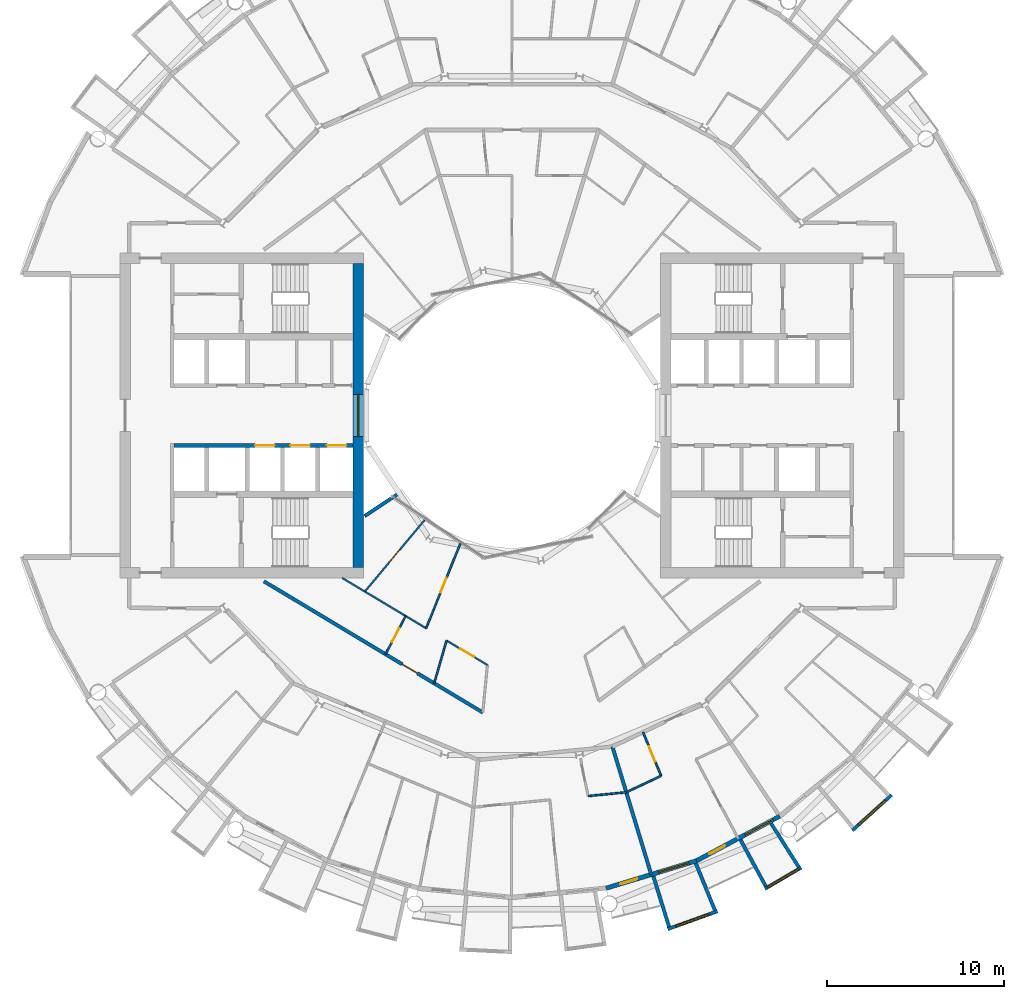
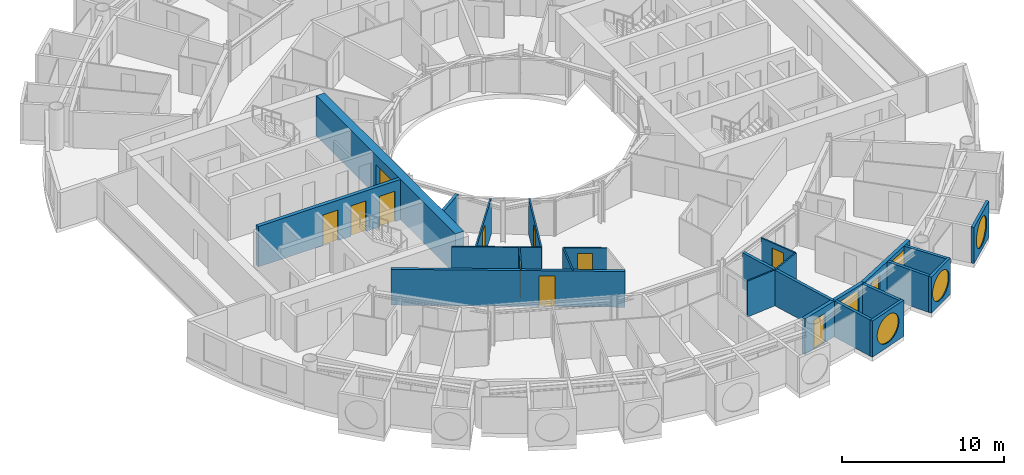
# One storey, part 16 of 27: 23 walls, 11 doors, 6 windows, 17 openings.
"""IFC4 building model written with IfcOpenShell, lengths in metres."""

from ifc_helpers import new_model, si_unit, direction, frame, frame_2d, origin, place, context, subcontext, project, spatial, rectangle, circle, extrude, material, layer, layer_set, type_object, element, fill, save


model = new_model("IFC4")

# Units and contexts
model_context = context("Model", 3, precision=1e-05, world=origin(), true_north=direction((0.0, 1.0)))
body_context = subcontext(model_context, "Body", "Model", "MODEL_VIEW")
ifc_project = project(units=[si_unit("LENGTHUNIT", "METRE"), si_unit("AREAUNIT", "SQUARE_METRE"), si_unit("VOLUMEUNIT", "CUBIC_METRE"), si_unit("PLANEANGLEUNIT", "RADIAN"), si_unit("MASSUNIT", "GRAM", prefix="KILO")], contexts=[model_context])

# Site, building, storey
site_placement = place(None, origin())
site = spatial("IfcSite", under=ifc_project, at=site_placement, CompositionType="ELEMENT")
building_placement = place(site_placement, origin())
building = spatial("IfcBuilding", under=site, at=building_placement, Name="Maasbend Ring Residences", CompositionType="ELEMENT")
storey_placement = place(building_placement, frame((0.0, 0.0, 120.800048828125)))
storey = spatial("IfcBuildingStorey", under=building, at=storey_placement, Name="L34", CompositionType="ELEMENT", Elevation=120.800048828125)

# Wall, openings, doors
ifc_material_1 = material(Name="Concrete C60/75", Category="concrete")
ifc_layer_1 = layer(ifc_material_1, 0.25)
ifc_layer_set_1 = layer_set([ifc_layer_1], Name="Concrete C60/75")
wall_type_1 = type_object("IfcWallType", Name="CORE WALL 250 C60/75", PredefinedType="SHEAR", material=ifc_layer_set_1)
wall_1_placement = place(storey_placement, frame((-9.0, -1.699951171875, 0.0), z_axis=(0.0, 0.0, 1.0), x_axis=(-1.0, 0.0, 0.0)))
wall_1 = element("IfcWall", 1, at=wall_1_placement, inside=storey, type_object=wall_type_1, Name="L34 core W wall SPN", PredefinedType="SHEAR", context=body_context, shape_type="SweptSolid", body=[
    extrude(rectangle(XDim=10.14990234375, YDim=0.25, at=frame_2d((5.074951171875, 0.0))), origin(), (0.0, 0.0, 1.0), 3.050048828125),
])
opening_1_placement = place(wall_1_placement, frame((0.387451171875, 0.0, 0.0)))
opening_1 = element("IfcOpeningElement", 2, at=opening_1_placement, cuts=wall_1, Name="Opening LD-W3401", PredefinedType="OPENING", context=body_context, shape_type="SweptSolid", body=[
    extrude(rectangle(XDim=1.10009765625, YDim=2.300048828125, at=frame_2d((0.550048828125, 1.14990234375))), frame((0.0, 0.135009765625, 0.0), z_axis=(0.0, -1.0, 0.0), x_axis=(1.0, 0.0, 0.0)), (0.0, 0.0, 1.0), 0.27001953125),
])
opening_2_placement = place(wall_1_placement, frame((2.449951171875, 0.0, 0.0)))
opening_2 = element("IfcOpeningElement", 3, at=opening_2_placement, cuts=wall_1, Name="Opening LD-W3402", PredefinedType="OPENING", context=body_context, shape_type="SweptSolid", body=[
    extrude(rectangle(XDim=1.10009765625, YDim=2.300048828125, at=frame_2d((0.550048828125, 1.14990234375))), frame((0.0, 0.135009765625, 0.0), z_axis=(0.0, -1.0, 0.0), x_axis=(1.0, 0.0, 0.0)), (0.0, 0.0, 1.0), 0.27001953125),
])
opening_3_placement = place(wall_1_placement, frame((4.449951171875, 0.0, 0.0)))
opening_3 = element("IfcOpeningElement", 4, at=opening_3_placement, cuts=wall_1, Name="Opening LD-W3403", PredefinedType="OPENING", context=body_context, shape_type="SweptSolid", body=[
    extrude(rectangle(XDim=1.10009765625, YDim=2.300048828125, at=frame_2d((0.550048828125, 1.14990234375))), frame((0.0, 0.135009765625, 0.0), z_axis=(0.0, -1.0, 0.0), x_axis=(1.0, 0.0, 0.0)), (0.0, 0.0, 1.0), 0.27001953125),
])
ifc_material_2 = material(Name="Stainless steel 316", Category="steel")
door_type_1 = type_object("IfcDoorType", Name="LANDING DOOR 1100 X 2300 FD60", OperationType="DOUBLE_DOOR_SLIDING", PredefinedType="DOOR", material=ifc_material_2)
door_1_placement = place(opening_1_placement, origin())
door_1 = element("IfcDoor", 5, at=door_1_placement, inside=storey, type_object=door_type_1, Name="Landing door LR-W1 L34", OperationType="DOUBLE_DOOR_SLIDING", OverallHeight=2.300048828125, OverallWidth=1.10009765625, PredefinedType="DOOR", context=body_context, shape_type="SweptSolid", body=[
    extrude(rectangle(XDim=1.10009765625, YDim=2.300048828125, at=frame_2d((0.550048828125, 1.14990234375))), frame((0.0, 0.02490234375, 0.0), z_axis=(0.0, -1.0, 0.0), x_axis=(1.0, 0.0, 0.0)), (0.0, 0.0, 1.0), 0.050048828125),
])
fill(opening_1, door_1)
door_2_placement = place(opening_2_placement, origin())
door_2 = element("IfcDoor", 6, at=door_2_placement, inside=storey, type_object=door_type_1, Name="Landing door LR-W2 L34", OperationType="DOUBLE_DOOR_SLIDING", OverallHeight=2.300048828125, OverallWidth=1.10009765625, PredefinedType="DOOR", context=body_context, shape_type="SweptSolid", body=[
    extrude(rectangle(XDim=1.10009765625, YDim=2.300048828125, at=frame_2d((0.550048828125, 1.14990234375))), frame((0.0, 0.02490234375, 0.0), z_axis=(0.0, -1.0, 0.0), x_axis=(1.0, 0.0, 0.0)), (0.0, 0.0, 1.0), 0.050048828125),
])
fill(opening_2, door_2)
door_3_placement = place(opening_3_placement, origin())
door_3 = element("IfcDoor", 7, at=door_3_placement, inside=storey, type_object=door_type_1, Name="Landing door LR-W3 L34", OperationType="DOUBLE_DOOR_SLIDING", OverallHeight=2.300048828125, OverallWidth=1.10009765625, PredefinedType="DOOR", context=body_context, shape_type="SweptSolid", body=[
    extrude(rectangle(XDim=1.10009765625, YDim=2.300048828125, at=frame_2d((0.550048828125, 1.14990234375))), frame((0.0, 0.02490234375, 0.0), z_axis=(0.0, -1.0, 0.0), x_axis=(1.0, 0.0, 0.0)), (0.0, 0.0, 1.0), 0.050048828125),
])
fill(opening_3, door_3)

# Wall, opening, window
ifc_material_3 = material(Name="Concrete C60/75", Category="concrete")
ifc_layer_2 = layer(ifc_material_3, 0.60009765625)
ifc_layer_set_2 = layer_set([ifc_layer_2], Name="Concrete C60/75")
wall_type_2 = type_object("IfcWallType", Name="CORE WALL 600 C60/75", PredefinedType="SHEAR", material=ifc_layer_set_2)
wall_2_placement = place(storey_placement, frame((-8.699951171875, 8.60009765625, 0.0), z_axis=(0.0, 0.0, 1.0), x_axis=(0.0, -1.0, 0.0)))
wall_2 = element("IfcWall", 8, at=wall_2_placement, inside=storey, type_object=wall_type_2, Name="L34 core W wall PIN", PredefinedType="SHEAR", context=body_context, shape_type="SweptSolid", body=[
    extrude(rectangle(XDim=17.2001953125, YDim=0.60009765625, at=frame_2d((8.60009765625, 0.0))), origin(), (0.0, 0.0, 1.0), 3.050048828125),
])
opening_4_placement = place(wall_2_placement, frame((7.39990234375, 0.0, 0.10009765625)))
opening_4 = element("IfcOpeningElement", 9, at=opening_4_placement, cuts=wall_2, Name="Opening W-W3401", PredefinedType="OPENING", context=body_context, shape_type="SweptSolid", body=[
    extrude(rectangle(XDim=2.39990234375, YDim=2.199951171875, at=frame_2d((1.199951171875, 1.10009765625))), frame((0.0, 0.31005859375, 0.0), z_axis=(0.0, -1.0, 0.0), x_axis=(1.0, 0.0, 0.0)), (0.0, 0.0, 1.0), 0.6201171875),
])
ifc_material_4 = material(Name="Aluminium frame and clear glass", Category="aluminium")
window_type_1 = type_object("IfcWindowType", Name="FIXED WINDOW 2400 X 2200", PartitioningType="SINGLE_PANEL", PredefinedType="WINDOW", material=ifc_material_4)
window_1_placement = place(opening_4_placement, origin())
window_1 = element("IfcWindow", 10, at=window_1_placement, inside=storey, type_object=window_type_1, Name="Lobby window L34", OverallHeight=2.199951171875, OverallWidth=2.39990234375, PartitioningType="SINGLE_PANEL", PredefinedType="WINDOW", context=body_context, shape_type="SweptSolid", body=[
    extrude(rectangle(XDim=2.39990234375, YDim=2.199951171875, at=frame_2d((1.199951171875, 1.10009765625))), frame((0.0, 0.030029296875, 0.0), z_axis=(0.0, -1.0, 0.0), x_axis=(1.0, 0.0, 0.0)), (0.0, 0.0, 1.0), 0.06005859375),
])
fill(opening_4, window_1)

# Wall, opening, door
ifc_material_5 = material(Name="Concrete C30/37", Category="concrete")
ifc_layer_3 = layer(ifc_material_5, 0.199951171875)
ifc_layer_set_3 = layer_set([ifc_layer_3], Name="Concrete C30/37")
wall_type_3 = type_object("IfcWallType", Name="CORRIDOR WALL 200 CONCRETE", PredefinedType="PARTITIONING", material=ifc_layer_set_3)
wall_3_placement = place(storey_placement, frame((-14.051025390625, -9.39111328125, 0.0), z_axis=(0.0, 0.0, 1.0), x_axis=(0.857768591583, -0.514036033069, 0.0)))
wall_3 = element("IfcWall", 11, at=wall_3_placement, inside=storey, type_object=wall_type_3, Name="U-L34-w019", PredefinedType="PARTITIONING", context=body_context, shape_type="SweptSolid", body=[
    extrude(rectangle(XDim=14.4501953125, YDim=0.199951171875, at=frame_2d((7.22509765625, 0.0))), origin(), (0.0, 0.0, 1.0), 2.699951171875),
])
opening_5_placement = place(wall_3_placement, frame((9.133056640625, 0.0, 0.0)))
opening_5 = element("IfcOpeningElement", 12, at=opening_5_placement, cuts=wall_3, Name="Opening D-3453", PredefinedType="OPENING", context=body_context, shape_type="SweptSolid", body=[
    extrude(rectangle(XDim=1.0, YDim=2.300048828125, at=frame_2d((0.5, 1.14990234375))), frame((0.0, 0.10986328125, 0.0), z_axis=(0.0, -1.0, 0.0), x_axis=(1.0, 0.0, 0.0)), (0.0, 0.0, 1.0), 0.219970703125),
])
ifc_material_6 = material(Name="Timber, fire-rated, painted", Category="wood")
door_type_2 = type_object("IfcDoorType", Name="FLAT ENTRANCE DOOR 1000 X 2300 FIRE-RATED", OperationType="NOTDEFINED", PredefinedType="DOOR", material=ifc_material_6)
door_4_placement = place(opening_5_placement, origin())
door_4 = element("IfcDoor", 13, at=door_4_placement, inside=storey, type_object=door_type_2, Name="D-3453", OperationType="SINGLE_SWING_RIGHT", OverallHeight=2.300048828125, OverallWidth=1.0, PredefinedType="DOOR", context=body_context, shape_type="SweptSolid", body=[
    extrude(rectangle(XDim=1.0, YDim=2.300048828125, at=frame_2d((0.5, 1.14990234375))), frame((0.0, 0.02490234375, 0.0), z_axis=(0.0, -1.0, 0.0), x_axis=(1.0, 0.0, 0.0)), (0.0, 0.0, 1.0), 0.050048828125),
])
fill(opening_5, door_4)

# Wall, opening, window
ifc_material_7 = material(Name="Pale anodised aluminium panel", Category="aluminium")
ifc_layer_4 = layer(ifc_material_7, 0.199951171875)
ifc_layer_set_4 = layer_set([ifc_layer_4], Name="EW-BOX")
wall_type_4 = type_object("IfcWallType", Name="EW-BOX", PredefinedType="SOLIDWALL", material=ifc_layer_set_4)
wall_4_placement = place(storey_placement, frame((8.820068359375, -29.093017578125, -0.030029296875), z_axis=(0.0, 0.0, 1.0), x_axis=(0.941461077774, 0.337121697664, 0.0)))
wall_4 = element("IfcWall", 14, at=wall_4_placement, inside=storey, type_object=wall_type_4, Name="Box front S14", PredefinedType="SOLIDWALL", context=body_context, shape_type="SweptSolid", body=[
    extrude(rectangle(XDim=2.9931640625, YDim=0.199951171875, at=frame_2d((1.49658203125, 0.0))), origin(), (0.0, 0.0, 1.0), 2.72998046875),
])
opening_6_placement = place(wall_4_placement, frame((0.45654296875, 0.0, 0.330078125)))
opening_6 = element("IfcOpeningElement", 15, at=opening_6_placement, cuts=wall_4, Name="Opening W-RD", PredefinedType="OPENING", context=body_context, shape_type="SweptSolid", body=[
    extrude(circle(Radius=1.0400390625, at=frame_2d((1.0400390625, 1.0400390625))), frame((0.0, 0.10986328125, 0.0), z_axis=(0.0, -1.0, 0.0), x_axis=(1.0, 0.0, 0.0)), (0.0, 0.0, 1.0), 0.219970703125),
])
ifc_material_8 = material(Name="Aluminium and clear glass", Category="aluminium")
window_type_2 = type_object("IfcWindowType", Name="W-RD", PartitioningType="SINGLE_PANEL", PredefinedType="WINDOW", material=ifc_material_8)
window_2_placement = place(opening_6_placement, origin())
window_2 = element("IfcWindow", 16, at=window_2_placement, inside=storey, type_object=window_type_2, Name="Round window S14", OverallHeight=2.080078125, OverallWidth=2.080078125, PartitioningType="SINGLE_PANEL", PredefinedType="WINDOW", context=body_context, shape_type="SweptSolid", body=[
    extrude(circle(Radius=1.0400390625, at=frame_2d((1.0400390625, 1.0400390625))), frame((0.0, 0.030029296875, 0.0), z_axis=(0.0, -1.0, 0.0), x_axis=(1.0, 0.0, 0.0)), (0.0, 0.0, 1.0), 0.06005859375),
])
fill(opening_6, window_2)

# Walls
wall_5_placement = place(storey_placement, frame((8.009033203125, -26.092041015625, -0.030029296875), z_axis=(0.0, 0.0, 1.0), x_axis=(0.293406695073, -0.955987715029, 0.0)))
element("IfcWall", 17, at=wall_5_placement, inside=storey, type_object=wall_type_4, Name="Box side wall S14 left", PredefinedType="SOLIDWALL", context=body_context, shape_type="SweptSolid", body=[
    extrude(rectangle(XDim=3.00634765625, YDim=0.199951171875, at=frame_2d((1.503173828125, 0.0))), origin(), (0.0, 0.0, 1.0), 2.72998046875),
])
wall_6_placement = place(storey_placement, frame((10.408935546875, -25.364013671875, -0.030029296875), z_axis=(0.0, 0.0, 1.0), x_axis=(0.379509886562, -0.925187681501, 0.0)))
element("IfcWall", 18, at=wall_6_placement, inside=storey, type_object=wall_type_4, Name="Box side wall S14 right", PredefinedType="SOLIDWALL", context=body_context, shape_type="SweptSolid", body=[
    extrude(rectangle(XDim=2.882568359375, YDim=0.199951171875, at=frame_2d((1.44140625, 0.0))), origin(), (0.0, 0.0, 1.0), 2.72998046875),
])

# Wall, opening, window
wall_7_placement = place(storey_placement, frame((14.326904296875, -26.81201171875, -0.030029296875), z_axis=(0.0, 0.0, 1.0), x_axis=(0.862762477128, 0.505609442218, 0.0)))
wall_7 = element("IfcWall", 19, at=wall_7_placement, inside=storey, type_object=wall_type_4, Name="Box front S16", PredefinedType="SOLIDWALL", context=body_context, shape_type="SweptSolid", body=[
    extrude(rectangle(XDim=2.39111328125, YDim=0.199951171875, at=frame_2d((1.195556640625, 0.0))), origin(), (0.0, 0.0, 1.0), 2.72998046875),
])
opening_7_placement = place(wall_7_placement, frame((0.15576171875, 0.0, 0.330078125)))
opening_7 = element("IfcOpeningElement", 20, at=opening_7_placement, cuts=wall_7, Name="Opening W-RD", PredefinedType="OPENING", context=body_context, shape_type="SweptSolid", body=[
    extrude(circle(Radius=1.0400390625, at=frame_2d((1.0400390625, 1.0400390625))), frame((0.0, 0.10986328125, 0.0), z_axis=(0.0, -1.0, 0.0), x_axis=(1.0, 0.0, 0.0)), (0.0, 0.0, 1.0), 0.219970703125),
])
window_3_placement = place(opening_7_placement, origin())
window_3 = element("IfcWindow", 21, at=window_3_placement, inside=storey, type_object=window_type_2, Name="Round window S16", OverallHeight=2.080078125, OverallWidth=2.080078125, PartitioningType="SINGLE_PANEL", PredefinedType="WINDOW", context=body_context, shape_type="SweptSolid", body=[
    extrude(circle(Radius=1.0400390625, at=frame_2d((1.0400390625, 1.0400390625))), frame((0.0, 0.030029296875, 0.0), z_axis=(0.0, -1.0, 0.0), x_axis=(1.0, 0.0, 0.0)), (0.0, 0.0, 1.0), 0.06005859375),
])
fill(opening_7, window_3)

# Walls
wall_8_placement = place(storey_placement, frame((12.945068359375, -24.029052734375, -0.030029296875), z_axis=(0.0, 0.0, 1.0), x_axis=(0.474424310775, -0.88029629861, 0.0)))
element("IfcWall", 22, at=wall_8_placement, inside=storey, type_object=wall_type_4, Name="Box side wall S16 left", PredefinedType="SOLIDWALL", context=body_context, shape_type="SweptSolid", body=[
    extrude(rectangle(XDim=3.005859375, YDim=0.199951171875, at=frame_2d((1.5029296875, 0.0))), origin(), (0.0, 0.0, 1.0), 2.72998046875),
])
wall_9_placement = place(storey_placement, frame((14.677978515625, -23.10205078125, -0.030029296875), z_axis=(0.0, 0.0, 1.0), x_axis=(0.536001536573, -0.844217005746, 0.0)))
element("IfcWall", 23, at=wall_9_placement, inside=storey, type_object=wall_type_4, Name="Box side wall S16 right", PredefinedType="SOLIDWALL", context=body_context, shape_type="SweptSolid", body=[
    extrude(rectangle(XDim=2.92919921875, YDim=0.199951171875, at=frame_2d((1.464599609375, 0.0))), origin(), (0.0, 0.0, 1.0), 2.72998046875),
])

# Wall, opening, window
wall_10_placement = place(storey_placement, frame((19.281982421875, -23.5029296875, -0.030029296875), z_axis=(0.0, 0.0, 1.0), x_axis=(0.740998365753, 0.671506829416, 0.0)))
wall_10 = element("IfcWall", 24, at=wall_10_placement, inside=storey, type_object=wall_type_4, Name="Box front S18", PredefinedType="SOLIDWALL", context=body_context, shape_type="SweptSolid", body=[
    extrude(rectangle(XDim=2.9931640625, YDim=0.199951171875, at=frame_2d((1.49658203125, 0.0))), origin(), (0.0, 0.0, 1.0), 2.72998046875),
])
opening_8_placement = place(wall_10_placement, frame((0.45654296875, 0.0, 0.330078125)))
opening_8 = element("IfcOpeningElement", 25, at=opening_8_placement, cuts=wall_10, Name="Opening W-RD", PredefinedType="OPENING", context=body_context, shape_type="SweptSolid", body=[
    extrude(circle(Radius=1.0400390625, at=frame_2d((1.0400390625, 1.0400390625))), frame((0.0, 0.10986328125, 0.0), z_axis=(0.0, -1.0, 0.0), x_axis=(1.0, 0.0, 0.0)), (0.0, 0.0, 1.0), 0.219970703125),
])
window_4_placement = place(opening_8_placement, origin())
window_4 = element("IfcWindow", 26, at=window_4_placement, inside=storey, type_object=window_type_2, Name="Round window S18", OverallHeight=2.080078125, OverallWidth=2.080078125, PartitioningType="SINGLE_PANEL", PredefinedType="WINDOW", context=body_context, shape_type="SweptSolid", body=[
    extrude(circle(Radius=1.0400390625, at=frame_2d((1.0400390625, 1.0400390625))), frame((0.0, 0.030029296875, 0.0), z_axis=(0.0, -1.0, 0.0), x_axis=(1.0, 0.0, 0.0)), (0.0, 0.0, 1.0), 0.06005859375),
])
fill(opening_8, window_4)

# Wall, openings, door, window
ifc_material_9 = material(Name="Aluminium clad insulated panel", Category="aluminium")
ifc_layer_5 = layer(ifc_material_9, 0.25)
ifc_layer_set_5 = layer_set([ifc_layer_5], Name="EW-GL")
wall_type_5 = type_object("IfcWallType", Name="EW-GL", PredefinedType="SOLIDWALL", material=ifc_layer_set_5)
wall_11_placement = place(storey_placement, frame((5.325927734375, -26.77490234375, 0.0), z_axis=(0.0, 0.0, 1.0), x_axis=(0.956965678721, 0.290201119486, 0.0)))
wall_11 = element("IfcWall", 27, at=wall_11_placement, inside=storey, type_object=wall_type_5, Name="External wall S07", PredefinedType="SOLIDWALL", context=body_context, shape_type="SweptSolid", body=[
    extrude(rectangle(XDim=5.351318359375, YDim=0.25, at=frame_2d((2.67578125, 0.0))), origin(), (0.0, 0.0, 1.0), 2.699951171875),
])
opening_9_placement = place(wall_11_placement, frame((0.841064453125, 0.0, 0.0)))
opening_9 = element("IfcOpeningElement", 28, at=opening_9_placement, cuts=wall_11, Name="Opening D-LG", PredefinedType="OPENING", context=body_context, shape_type="SweptSolid", body=[
    extrude(rectangle(XDim=1.0, YDim=2.199951171875, at=frame_2d((0.5, 1.10009765625))), frame((0.0, 0.135009765625, 0.0), z_axis=(0.0, -1.0, 0.0), x_axis=(1.0, 0.0, 0.0)), (0.0, 0.0, 1.0), 0.27001953125),
])
opening_10_placement = place(wall_11_placement, frame((3.110595703125, 0.0, 0.300048828125)))
opening_10 = element("IfcOpeningElement", 29, at=opening_10_placement, cuts=wall_11, Name="Opening W-BX", PredefinedType="OPENING", context=body_context, shape_type="SweptSolid", body=[
    extrude(rectangle(XDim=1.800048828125, YDim=2.10009765625, at=frame_2d((0.89990234375, 1.050048828125))), frame((0.0, 0.135009765625, 0.0), z_axis=(0.0, -1.0, 0.0), x_axis=(1.0, 0.0, 0.0)), (0.0, 0.0, 1.0), 0.27001953125),
])
ifc_material_10 = material(Name="Aluminium and clear glass", Category="aluminium")
door_type_3 = type_object("IfcDoorType", Name="D-LG", OperationType="SINGLE_SWING_LEFT", PredefinedType="DOOR", material=ifc_material_10)
door_5_placement = place(opening_9_placement, origin())
door_5 = element("IfcDoor", 30, at=door_5_placement, inside=storey, type_object=door_type_3, Name="Loggia door S13", OperationType="SINGLE_SWING_LEFT", OverallHeight=2.199951171875, OverallWidth=1.0, PredefinedType="DOOR", context=body_context, shape_type="SweptSolid", body=[
    extrude(rectangle(XDim=1.0, YDim=2.199951171875, at=frame_2d((0.5, 1.10009765625))), frame((0.0, 0.02490234375, 0.0), z_axis=(0.0, -1.0, 0.0), x_axis=(1.0, 0.0, 0.0)), (0.0, 0.0, 1.0), 0.050048828125),
])
fill(opening_9, door_5)
ifc_material_11 = material(Name="Aluminium and clear glass", Category="aluminium")
window_type_3 = type_object("IfcWindowType", Name="W-BX", PartitioningType="DOUBLE_PANEL_VERTICAL", PredefinedType="WINDOW", material=ifc_material_11)
window_5_placement = place(opening_10_placement, origin())
window_5 = element("IfcWindow", 31, at=window_5_placement, inside=storey, type_object=window_type_3, Name="Window S14 room to box", OverallHeight=2.10009765625, OverallWidth=1.800048828125, PartitioningType="SINGLE_PANEL", PredefinedType="WINDOW", context=body_context, shape_type="SweptSolid", body=[
    extrude(rectangle(XDim=1.800048828125, YDim=2.10009765625, at=frame_2d((0.89990234375, 1.050048828125))), frame((0.0, 0.030029296875, 0.0), z_axis=(0.0, -1.0, 0.0), x_axis=(1.0, 0.0, 0.0)), (0.0, 0.0, 1.0), 0.06005859375),
])
fill(opening_10, window_5)

wall_12_placement = place(storey_placement, frame((10.447021484375, -25.221923828125, 0.0), z_axis=(0.0, 0.0, 1.0), x_axis=(0.881915646801, 0.471407246368, 0.0)))
wall_12 = element("IfcWall", 32, at=wall_12_placement, inside=storey, type_object=wall_type_5, Name="External wall S08", PredefinedType="SOLIDWALL", context=body_context, shape_type="SweptSolid", body=[
    extrude(rectangle(XDim=5.35205078125, YDim=0.25, at=frame_2d((2.676025390625, 0.0))), origin(), (0.0, 0.0, 1.0), 2.699951171875),
])
opening_11_placement = place(wall_12_placement, frame((0.841064453125, 0.0, 0.0)))
opening_11 = element("IfcOpeningElement", 33, at=opening_11_placement, cuts=wall_12, Name="Opening D-LG", PredefinedType="OPENING", context=body_context, shape_type="SweptSolid", body=[
    extrude(rectangle(XDim=1.0, YDim=2.199951171875, at=frame_2d((0.5, 1.10009765625))), frame((0.0, 0.135009765625, 0.0), z_axis=(0.0, -1.0, 0.0), x_axis=(1.0, 0.0, 0.0)), (0.0, 0.0, 1.0), 0.27001953125),
])
opening_12_placement = place(wall_12_placement, frame((3.110595703125, 0.0, 0.300048828125)))
opening_12 = element("IfcOpeningElement", 34, at=opening_12_placement, cuts=wall_12, Name="Opening W-BX", PredefinedType="OPENING", context=body_context, shape_type="SweptSolid", body=[
    extrude(rectangle(XDim=1.800048828125, YDim=2.10009765625, at=frame_2d((0.89990234375, 1.050048828125))), frame((0.0, 0.135009765625, 0.0), z_axis=(0.0, -1.0, 0.0), x_axis=(1.0, 0.0, 0.0)), (0.0, 0.0, 1.0), 0.27001953125),
])
door_6_placement = place(opening_11_placement, origin())
door_6 = element("IfcDoor", 35, at=door_6_placement, inside=storey, type_object=door_type_3, Name="Loggia door S15", OperationType="SINGLE_SWING_LEFT", OverallHeight=2.199951171875, OverallWidth=1.0, PredefinedType="DOOR", context=body_context, shape_type="SweptSolid", body=[
    extrude(rectangle(XDim=1.0, YDim=2.199951171875, at=frame_2d((0.5, 1.10009765625))), frame((0.0, 0.02490234375, 0.0), z_axis=(0.0, -1.0, 0.0), x_axis=(1.0, 0.0, 0.0)), (0.0, 0.0, 1.0), 0.050048828125),
])
fill(opening_11, door_6)
window_6_placement = place(opening_12_placement, origin())
window_6 = element("IfcWindow", 36, at=window_6_placement, inside=storey, type_object=window_type_3, Name="Window S16 room to box", OverallHeight=2.10009765625, OverallWidth=1.800048828125, PartitioningType="SINGLE_PANEL", PredefinedType="WINDOW", context=body_context, shape_type="SweptSolid", body=[
    extrude(rectangle(XDim=1.800048828125, YDim=2.10009765625, at=frame_2d((0.89990234375, 1.050048828125))), frame((0.0, 0.030029296875, 0.0), z_axis=(0.0, -1.0, 0.0), x_axis=(1.0, 0.0, 0.0)), (0.0, 0.0, 1.0), 0.06005859375),
])
fill(opening_12, window_6)

# Walls
ifc_material_12 = material(Name="Gypsum board on steel studs", Category="steel")
ifc_layer_6 = layer(ifc_material_12, 0.10009765625)
ifc_layer_set_6 = layer_set([ifc_layer_6], Name="PARTITION 100 GYPSUM")
wall_type_6 = type_object("IfcWallType", Name="PARTITION 100 GYPSUM", PredefinedType="PARTITIONING", material=ifc_layer_set_6)
wall_13_placement = place(storey_placement, frame((6.472900390625, -21.340087890625, 0.0), z_axis=(0.0, 0.0, 1.0), x_axis=(0.903929143338, 0.427682246328, 0.0)))
element("IfcWall", 37, at=wall_13_placement, inside=storey, type_object=wall_type_6, Name="U-L34-w003", PredefinedType="PARTITIONING", context=body_context, shape_type="SweptSolid", body=[
    extrude(rectangle(XDim=2.181884765625, YDim=0.10009765625, at=frame_2d((1.0908203125, 0.0))), origin(), (0.0, 0.0, 1.0), 2.699951171875),
])
wall_14_placement = place(storey_placement, frame((4.31103515625, -21.552978515625, 0.0), z_axis=(0.0, 0.0, 1.0), x_axis=(0.995195976339, 0.097902853268, 0.0)))
element("IfcWall", 38, at=wall_14_placement, inside=storey, type_object=wall_type_6, Name="U-L34-w006", PredefinedType="PARTITIONING", context=body_context, shape_type="SweptSolid", body=[
    extrude(rectangle(XDim=2.174560546875, YDim=0.10009765625, at=frame_2d((1.08740234375, 0.0))), origin(), (0.0, 0.0, 1.0), 2.699951171875),
])
wall_15_placement = place(storey_placement, frame((-9.62109375, -9.198974609375, 0.0), z_axis=(0.0, 0.0, 1.0), x_axis=(0.857698539053, -0.514152911211, 0.0)))
element("IfcWall", 39, at=wall_15_placement, inside=storey, type_object=wall_type_6, Name="U-L34-w022", PredefinedType="PARTITIONING", context=body_context, shape_type="SweptSolid", body=[
    extrude(rectangle(XDim=5.55078125, YDim=0.10009765625, at=frame_2d((2.775390625, 0.0))), origin(), (0.0, 0.0, 1.0), 2.699951171875),
])

# Wall, opening, door
wall_16_placement = place(storey_placement, frame((-3.701904296875, -12.7470703125, 0.0), z_axis=(0.0, 0.0, 1.0), x_axis=(0.85772440305, -0.514109763001, 0.0)))
wall_16 = element("IfcWall", 40, at=wall_16_placement, inside=storey, type_object=wall_type_6, Name="U-L34-w023", PredefinedType="PARTITIONING", context=body_context, shape_type="SweptSolid", body=[
    extrude(rectangle(XDim=2.69775390625, YDim=0.10009765625, at=frame_2d((1.348876953125, 0.0))), origin(), (0.0, 0.0, 1.0), 2.699951171875),
])
opening_13_placement = place(wall_16_placement, frame((0.89404296875, 0.0, 0.0)))
opening_13 = element("IfcOpeningElement", 41, at=opening_13_placement, cuts=wall_16, Name="Opening D-3454", PredefinedType="OPENING", context=body_context, shape_type="SweptSolid", body=[
    extrude(rectangle(XDim=0.89990234375, YDim=2.300048828125, at=frame_2d((0.449951171875, 1.14990234375))), frame((0.0, 0.06005859375, 0.0), z_axis=(0.0, -1.0, 0.0), x_axis=(1.0, 0.0, 0.0)), (0.0, 0.0, 1.0), 0.1201171875),
])
ifc_material_13 = material(Name="Timber, painted", Category="wood")
door_type_4 = type_object("IfcDoorType", Name="INTERNAL DOOR 900 X 2300", OperationType="NOTDEFINED", PredefinedType="DOOR", material=ifc_material_13)
door_7_placement = place(opening_13_placement, origin())
door_7 = element("IfcDoor", 42, at=door_7_placement, inside=storey, type_object=door_type_4, Name="D-3454", OperationType="SINGLE_SWING_LEFT", OverallHeight=2.300048828125, OverallWidth=0.89990234375, PredefinedType="DOOR", context=body_context, shape_type="SweptSolid", body=[
    extrude(rectangle(XDim=0.89990234375, YDim=2.300048828125, at=frame_2d((0.449951171875, 1.14990234375))), frame((0.0, 0.02490234375, 0.0), z_axis=(0.0, -1.0, 0.0), x_axis=(1.0, 0.0, 0.0)), (0.0, 0.0, 1.0), 0.050048828125),
])
fill(opening_13, door_7)

wall_17_placement = place(storey_placement, frame((-8.3349609375, -9.969970703125, 0.0), z_axis=(0.0, 0.0, 1.0), x_axis=(0.641376424834, 0.767226356213, 0.0)))
wall_17 = element("IfcWall", 43, at=wall_17_placement, inside=storey, type_object=wall_type_6, Name="U-L34-w046", PredefinedType="PARTITIONING", context=body_context, shape_type="SweptSolid", body=[
    extrude(rectangle(XDim=5.274658203125, YDim=0.10009765625, at=frame_2d((2.63720703125, 0.0))), origin(), (0.0, 0.0, 1.0), 2.699951171875),
])
opening_14_placement = place(wall_17_placement, frame((2.18701171875, 0.0, 0.0)))
opening_14 = element("IfcOpeningElement", 44, at=opening_14_placement, cuts=wall_17, Name="Opening D-3457", PredefinedType="OPENING", context=body_context, shape_type="SweptSolid", body=[
    extrude(rectangle(XDim=0.89990234375, YDim=2.300048828125, at=frame_2d((0.449951171875, 1.14990234375))), frame((0.0, 0.06005859375, 0.0), z_axis=(0.0, -1.0, 0.0), x_axis=(1.0, 0.0, 0.0)), (0.0, 0.0, 1.0), 0.1201171875),
])
door_8_placement = place(opening_14_placement, origin())
door_8 = element("IfcDoor", 45, at=door_8_placement, inside=storey, type_object=door_type_4, Name="D-3457", OperationType="SINGLE_SWING_RIGHT", OverallHeight=2.300048828125, OverallWidth=0.89990234375, PredefinedType="DOOR", context=body_context, shape_type="SweptSolid", body=[
    extrude(rectangle(XDim=0.89990234375, YDim=2.300048828125, at=frame_2d((0.449951171875, 1.14990234375))), frame((0.0, 0.02490234375, 0.0), z_axis=(0.0, -1.0, 0.0), x_axis=(1.0, 0.0, 0.0)), (0.0, 0.0, 1.0), 0.050048828125),
])
fill(opening_14, door_8)

wall_18_placement = place(storey_placement, frame((-7.166015625, -13.51708984375, 0.0), z_axis=(0.0, 0.0, 1.0), x_axis=(0.468337293896, 0.883549760425, 0.0)))
wall_18 = element("IfcWall", 46, at=wall_18_placement, inside=storey, type_object=wall_type_6, Name="U-L34-w049", PredefinedType="PARTITIONING", context=body_context, shape_type="SweptSolid", body=[
    extrude(rectangle(XDim=2.44482421875, YDim=0.10009765625, at=frame_2d((1.222412109375, 0.0))), origin(), (0.0, 0.0, 1.0), 2.699951171875),
])
opening_15_placement = place(wall_18_placement, frame((0.77197265625, 0.0, 0.0)))
opening_15 = element("IfcOpeningElement", 47, at=opening_15_placement, cuts=wall_18, Name="Opening D-3455", PredefinedType="OPENING", context=body_context, shape_type="SweptSolid", body=[
    extrude(rectangle(XDim=0.89990234375, YDim=2.300048828125, at=frame_2d((0.449951171875, 1.14990234375))), frame((0.0, 0.06005859375, 0.0), z_axis=(0.0, -1.0, 0.0), x_axis=(1.0, 0.0, 0.0)), (0.0, 0.0, 1.0), 0.1201171875),
])
door_9_placement = place(opening_15_placement, origin())
door_9 = element("IfcDoor", 48, at=door_9_placement, inside=storey, type_object=door_type_4, Name="D-3455", OperationType="SINGLE_SWING_LEFT", OverallHeight=2.300048828125, OverallWidth=0.89990234375, PredefinedType="DOOR", context=body_context, shape_type="SweptSolid", body=[
    extrude(rectangle(XDim=0.89990234375, YDim=2.300048828125, at=frame_2d((0.449951171875, 1.14990234375))), frame((0.0, 0.02490234375, 0.0), z_axis=(0.0, -1.0, 0.0), x_axis=(1.0, 0.0, 0.0)), (0.0, 0.0, 1.0), 0.050048828125),
])
fill(opening_15, door_9)

wall_19_placement = place(storey_placement, frame((-4.864013671875, -12.051025390625, 0.0), z_axis=(0.0, 0.0, 1.0), x_axis=(0.374372761824, 0.927278294367, 0.0)))
wall_19 = element("IfcWall", 49, at=wall_19_placement, inside=storey, type_object=wall_type_6, Name="U-L34-w051", PredefinedType="PARTITIONING", context=body_context, shape_type="SweptSolid", body=[
    extrude(rectangle(XDim=5.275634765625, YDim=0.10009765625, at=frame_2d((2.6376953125, 0.0))), origin(), (0.0, 0.0, 1.0), 2.699951171875),
])
opening_16_placement = place(wall_19_placement, frame((2.18798828125, 0.0, 0.0)))
opening_16 = element("IfcOpeningElement", 50, at=opening_16_placement, cuts=wall_19, Name="Opening D-3456", PredefinedType="OPENING", context=body_context, shape_type="SweptSolid", body=[
    extrude(rectangle(XDim=0.89990234375, YDim=2.300048828125, at=frame_2d((0.449951171875, 1.14990234375))), frame((0.0, 0.06005859375, 0.0), z_axis=(0.0, -1.0, 0.0), x_axis=(1.0, 0.0, 0.0)), (0.0, 0.0, 1.0), 0.1201171875),
])
door_10_placement = place(opening_16_placement, origin())
door_10 = element("IfcDoor", 51, at=door_10_placement, inside=storey, type_object=door_type_4, Name="D-3456", OperationType="SINGLE_SWING_RIGHT", OverallHeight=2.300048828125, OverallWidth=0.89990234375, PredefinedType="DOOR", context=body_context, shape_type="SweptSolid", body=[
    extrude(rectangle(XDim=0.89990234375, YDim=2.300048828125, at=frame_2d((0.449951171875, 1.14990234375))), frame((0.0, 0.02490234375, 0.0), z_axis=(0.0, -1.0, 0.0), x_axis=(1.0, 0.0, 0.0)), (0.0, 0.0, 1.0), 0.050048828125),
])
fill(opening_16, door_10)

# Wall
wall_20_placement = place(storey_placement, frame((-4.410888671875, -15.16796875, 0.0), z_axis=(0.0, 0.0, 1.0), x_axis=(0.279201466266, 0.960232545395, 0.0)))
element("IfcWall", 52, at=wall_20_placement, inside=storey, type_object=wall_type_6, Name="U-L34-w052", PredefinedType="PARTITIONING", context=body_context, shape_type="SweptSolid", body=[
    extrude(rectangle(XDim=2.5244140625, YDim=0.10009765625, at=frame_2d((1.26220703125, 0.0))), origin(), (0.0, 0.0, 1.0), 2.699951171875),
])

# Wall, opening, door
wall_21_placement = place(storey_placement, frame((7.423095703125, -17.93603515625, 0.0), z_axis=(0.0, 0.0, 1.0), x_axis=(0.382195876364, -0.924081334132, 0.0)))
wall_21 = element("IfcWall", 53, at=wall_21_placement, inside=storey, type_object=wall_type_6, Name="U-L34-w069", PredefinedType="PARTITIONING", context=body_context, shape_type="SweptSolid", body=[
    extrude(rectangle(XDim=2.673828125, YDim=0.10009765625, at=frame_2d((1.3369140625, 0.0))), origin(), (0.0, 0.0, 1.0), 2.699951171875),
])
opening_17_placement = place(wall_21_placement, frame((0.886962890625, 0.0, 0.0)))
opening_17 = element("IfcOpeningElement", 54, at=opening_17_placement, cuts=wall_21, Name="Opening D-3447", PredefinedType="OPENING", context=body_context, shape_type="SweptSolid", body=[
    extrude(rectangle(XDim=0.89990234375, YDim=2.300048828125, at=frame_2d((0.449951171875, 1.14990234375))), frame((0.0, 0.06005859375, 0.0), z_axis=(0.0, -1.0, 0.0), x_axis=(1.0, 0.0, 0.0)), (0.0, 0.0, 1.0), 0.1201171875),
])
door_11_placement = place(opening_17_placement, origin())
door_11 = element("IfcDoor", 55, at=door_11_placement, inside=storey, type_object=door_type_4, Name="D-3447", OperationType="SINGLE_SWING_RIGHT", OverallHeight=2.300048828125, OverallWidth=0.89990234375, PredefinedType="DOOR", context=body_context, shape_type="SweptSolid", body=[
    extrude(rectangle(XDim=0.89990234375, YDim=2.300048828125, at=frame_2d((0.449951171875, 1.14990234375))), frame((0.0, 0.02490234375, 0.0), z_axis=(0.0, -1.0, 0.0), x_axis=(1.0, 0.0, 0.0)), (0.0, 0.0, 1.0), 0.050048828125),
])
fill(opening_17, door_11)

# Walls
ifc_material_14 = material(Name="Concrete C30/37", Category="concrete")
ifc_layer_7 = layer(ifc_material_14, 0.199951171875)
ifc_layer_set_7 = layer_set([ifc_layer_7], Name="Concrete C30/37")
wall_type_7 = type_object("IfcWallType", Name="PARTY WALL 200 CONCRETE", PredefinedType="PARTITIONING", material=ifc_layer_set_7)
wall_22_placement = place(storey_placement, frame((-6.512939453125, -4.471923828125, 0.0), z_axis=(0.0, 0.0, 1.0), x_axis=(-0.831333375071, -0.555774072347, 0.0)))
element("IfcWall", 56, at=wall_22_placement, inside=storey, type_object=wall_type_7, Name="U-L34-w026", PredefinedType="PARTITIONING", context=body_context, shape_type="SweptSolid", body=[
    extrude(rectangle(XDim=2.20263671875, YDim=0.199951171875, at=frame_2d((1.101318359375, 0.0))), origin(), (0.0, 0.0, 1.0), 2.699951171875),
])
wall_23_placement = place(storey_placement, frame((5.68896484375, -18.756103515625, 0.0), z_axis=(0.0, 0.0, 1.0), x_axis=(0.290294523619, -0.956937348815, 0.0)))
element("IfcWall", 57, at=wall_23_placement, inside=storey, type_object=wall_type_7, Name="U-L34-w066", PredefinedType="PARTITIONING", context=body_context, shape_type="SweptSolid", body=[
    extrude(rectangle(XDim=7.574951171875, YDim=0.199951171875, at=frame_2d((3.78759765625, 0.0))), origin(), (0.0, 0.0, 1.0), 2.699951171875),
])

save(model, "model.ifc")
